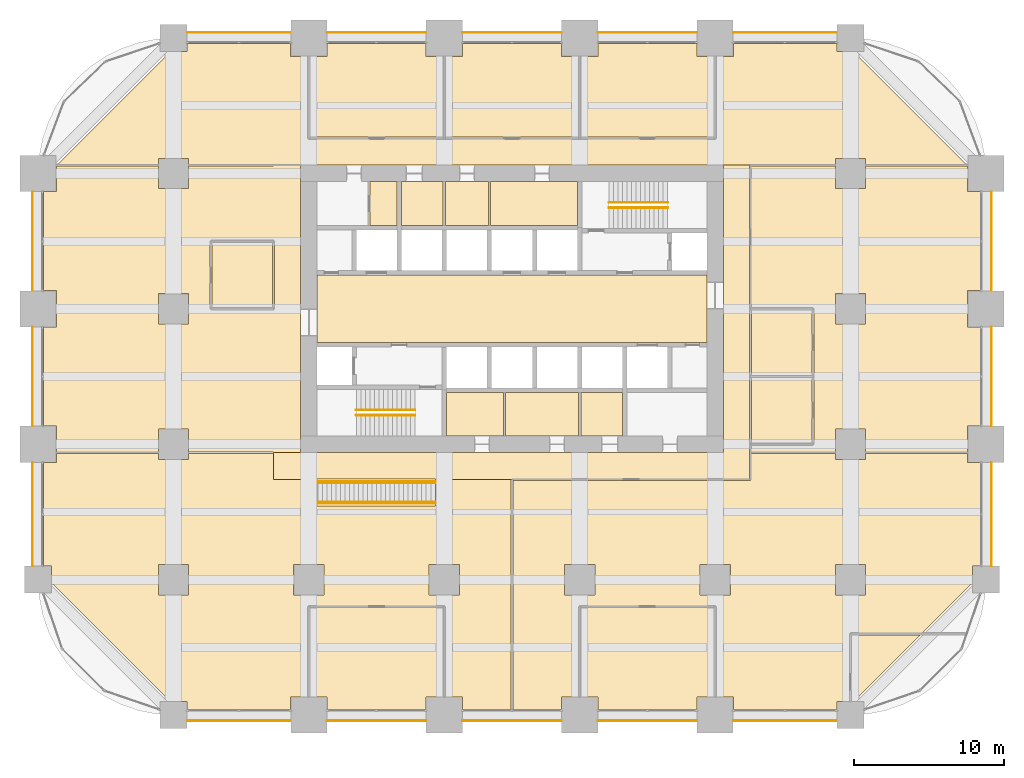
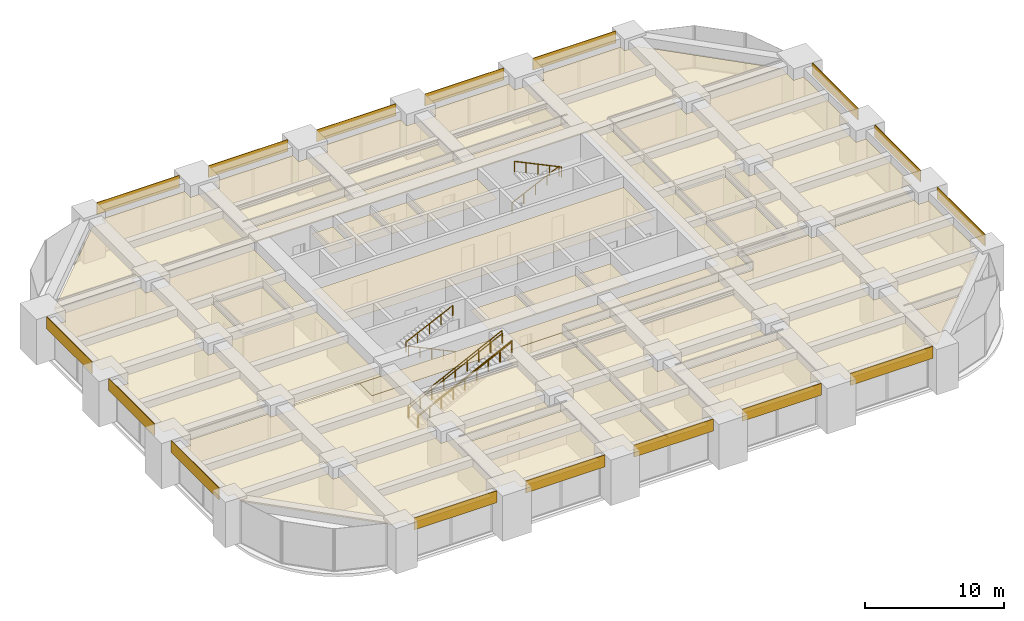
# One storey, part 39 of 39: 39 coverings, 8 railings.
"""IFC4 building model written with IfcOpenShell, lengths in metres."""

from ifc_helpers import new_model, si_unit, direction, frame, frame_2d, origin, origin_2d, place, context, subcontext, project, spatial, polyline, rectangle, circle, outline, extrude, material, layer, layer_set, type_object, element, save


model = new_model("IFC4")

# Units and contexts
model_context = context("Model", 3, precision=1e-05, world=origin(), true_north=direction((0.0, 1.0)))
body_context = subcontext(model_context, "Body", "Model", "MODEL_VIEW")
ifc_project = project(units=[si_unit("LENGTHUNIT", "METRE"), si_unit("AREAUNIT", "SQUARE_METRE"), si_unit("VOLUMEUNIT", "CUBIC_METRE"), si_unit("PLANEANGLEUNIT", "RADIAN"), si_unit("MASSUNIT", "GRAM", prefix="KILO")], contexts=[model_context])

# Site, building, storey
site_placement = place(None, origin())
site = spatial("IfcSite", under=ifc_project, at=site_placement, CompositionType="ELEMENT")
building_placement = place(site_placement, origin())
building = spatial("IfcBuilding", under=site, at=building_placement, Name="Zorevar Civic Tower", CompositionType="ELEMENT")
storey_placement = place(building_placement, frame((0.0, 0.0, 117.0)))
storey = spatial("IfcBuildingStorey", under=building, at=storey_placement, Name="L28", CompositionType="ELEMENT", Elevation=117.0)

# Railings
ifc_material_1 = material(Name="Laminated glass balustrade with black steel handrail", Category="steel")
railing_type_1 = type_object("IfcRailingType", Name="Balustrade BL1 1100", PredefinedType="BALUSTRADE", material=ifc_material_1)
for number, where, name in (
    (1, (18.60009765625, 14.080078125, 0.148193359375), "Balustrade BL1 interconnecting stair L28"),
    (2, (18.60009765625, 15.52001953125, 0.148193359375), "Balustrade BL1 interconnecting stair L28"),
):
    element("IfcRailing", number, at=place(storey_placement, frame(where)), inside=storey, type_object=railing_type_1, Name=name, PredefinedType="BALUSTRADE", context=body_context, shape_type="SweptSolid", body=[
        extrude(circle(Radius=0.02392578125, at=origin_2d()), frame((0.0, 0.0, 1.076171875), z_axis=(0.896627794226, 0.0, 0.442785047875), x_axis=(0.0, 1.0, 0.0)), (0.0, 0.0, 1.0), 8.698974609375),
        extrude(circle(Radius=0.02099609375, at=origin_2d()), origin(), (0.0, 0.0, 1.0), 1.052001953125),
        extrude(circle(Radius=0.02099609375, at=origin_2d()), frame((0.97509765625, 0.0, 0.4814453125)), (0.0, 0.0, 1.0), 1.052001953125),
        extrude(circle(Radius=0.02099609375, at=origin_2d()), frame((1.949951171875, 0.0, 0.962890625)), (0.0, 0.0, 1.0), 1.052001953125),
        extrude(circle(Radius=0.02099609375, at=origin_2d()), frame((2.9248046875, 0.0, 1.4443359375)), (0.0, 0.0, 1.0), 1.052001953125),
        extrude(circle(Radius=0.02099609375, at=origin_2d()), frame((3.89990234375, 0.0, 1.92578125)), (0.0, 0.0, 1.0), 1.052001953125),
        extrude(circle(Radius=0.02099609375, at=origin_2d()), frame((4.875, 0.0, 2.407470703125)), (0.0, 0.0, 1.0), 1.052001953125),
        extrude(circle(Radius=0.02099609375, at=origin_2d()), frame((5.849853515625, 0.0, 2.888916015625)), (0.0, 0.0, 1.0), 1.052001953125),
        extrude(circle(Radius=0.02099609375, at=origin_2d()), frame((6.82470703125, 0.0, 3.370361328125)), (0.0, 0.0, 1.0), 1.052001953125),
        extrude(circle(Radius=0.02099609375, at=origin_2d()), frame((7.7998046875, 0.0, 3.851806640625)), (0.0, 0.0, 1.0), 1.052001953125),
    ])
ifc_material_2 = material(Name="Black steel handrail", Category="steel")
railing_type_2 = type_object("IfcRailingType", Name="Handrail HR1 900", PredefinedType="HANDRAIL", material=ifc_material_2)
railing_1_placement = place(storey_placement, frame((25.050048828125, 19.925048828125, 0.142822265625)))
element("IfcRailing", 3, at=railing_1_placement, inside=storey, type_object=railing_type_2, Name="Handrail HR1 ST1 L28", PredefinedType="HANDRAIL", context=body_context, shape_type="SweptSolid", body=[
    extrude(circle(Radius=0.02392578125, at=origin_2d()), frame((0.0, 0.0, 0.8759765625), z_axis=(-0.902863652845, 0.0, 0.429926998885), x_axis=(0.0, -1.0, 0.0)), (0.0, 0.0, 1.0), 4.31982421875),
    extrude(circle(Radius=0.02099609375, at=origin_2d()), origin(), (0.0, 0.0, 1.0), 0.851806640625),
    extrude(circle(Radius=0.02099609375, at=origin_2d()), frame((-0.97509765625, 0.0, 0.46435546875)), (0.0, 0.0, 1.0), 0.851806640625),
    extrude(circle(Radius=0.02099609375, at=origin_2d()), frame((-1.9501953125, 0.0, 0.9287109375)), (0.0, 0.0, 1.0), 0.851806640625),
    extrude(circle(Radius=0.02099609375, at=origin_2d()), frame((-2.925048828125, 0.0, 1.392822265625)), (0.0, 0.0, 1.0), 0.851806640625),
    extrude(circle(Radius=0.02099609375, at=origin_2d()), frame((-3.900146484375, 0.0, 1.857177734375)), (0.0, 0.0, 1.0), 0.851806640625),
])
for number, where, name in (
    (4, (21.14990234375, 20.27490234375, 2.142822265625), "Handrail HR1 ST1 L28"),
    (5, (37.949951171875, 34.074951171875, 0.142822265625), "Handrail HR1 ST2 L28"),
):
    element("IfcRailing", number, at=place(storey_placement, frame(where)), inside=storey, type_object=railing_type_2, Name=name, PredefinedType="HANDRAIL", context=body_context, shape_type="SweptSolid", body=[
        extrude(circle(Radius=0.02392578125, at=origin_2d()), frame((0.0, 0.0, 0.8759765625), z_axis=(0.902863652845, 0.0, 0.429926998885), x_axis=(0.0, 1.0, 0.0)), (0.0, 0.0, 1.0), 4.31982421875),
        extrude(circle(Radius=0.02099609375, at=origin_2d()), origin(), (0.0, 0.0, 1.0), 0.851806640625),
        extrude(circle(Radius=0.02099609375, at=origin_2d()), frame((0.97509765625, 0.0, 0.46435546875)), (0.0, 0.0, 1.0), 0.851806640625),
        extrude(circle(Radius=0.02099609375, at=origin_2d()), frame((1.9501953125, 0.0, 0.9287109375)), (0.0, 0.0, 1.0), 0.851806640625),
        extrude(circle(Radius=0.02099609375, at=origin_2d()), frame((2.925048828125, 0.0, 1.392822265625)), (0.0, 0.0, 1.0), 0.851806640625),
        extrude(circle(Radius=0.02099609375, at=origin_2d()), frame((3.900146484375, 0.0, 1.857177734375)), (0.0, 0.0, 1.0), 0.851806640625),
    ])
railing_2_placement = place(storey_placement, frame((41.85009765625, 33.72509765625, 2.142822265625)))
element("IfcRailing", 6, at=railing_2_placement, inside=storey, type_object=railing_type_2, Name="Handrail HR1 ST2 L28", PredefinedType="HANDRAIL", context=body_context, shape_type="SweptSolid", body=[
    extrude(circle(Radius=0.02392578125, at=origin_2d()), frame((0.0, 0.0, 0.8759765625), z_axis=(-0.902863652845, 0.0, 0.429926998885), x_axis=(0.0, -1.0, 0.0)), (0.0, 0.0, 1.0), 4.31982421875),
    extrude(circle(Radius=0.02099609375, at=origin_2d()), origin(), (0.0, 0.0, 1.0), 0.851806640625),
    extrude(circle(Radius=0.02099609375, at=origin_2d()), frame((-0.97509765625, 0.0, 0.46435546875)), (0.0, 0.0, 1.0), 0.851806640625),
    extrude(circle(Radius=0.02099609375, at=origin_2d()), frame((-1.9501953125, 0.0, 0.9287109375)), (0.0, 0.0, 1.0), 0.851806640625),
    extrude(circle(Radius=0.02099609375, at=origin_2d()), frame((-2.925048828125, 0.0, 1.392822265625)), (0.0, 0.0, 1.0), 0.851806640625),
    extrude(circle(Radius=0.02099609375, at=origin_2d()), frame((-3.900146484375, 0.0, 1.857177734375)), (0.0, 0.0, 1.0), 0.851806640625),
])
for number, where, name in (
    (7, (18.60009765625, 14.14990234375, 0.148193359375), "Handrail HR1 interconnecting stair L28"),
    (8, (18.60009765625, 15.449951171875, 0.148193359375), "Handrail HR1 interconnecting stair L28"),
):
    element("IfcRailing", number, at=place(storey_placement, frame(where)), inside=storey, type_object=railing_type_2, Name=name, PredefinedType="HANDRAIL", context=body_context, shape_type="SweptSolid", body=[
        extrude(circle(Radius=0.02392578125, at=origin_2d()), frame((0.0, 0.0, 0.8759765625), z_axis=(0.896627794226, 0.0, 0.442785047875), x_axis=(0.0, 1.0, 0.0)), (0.0, 0.0, 1.0), 8.698974609375),
        extrude(circle(Radius=0.02099609375, at=origin_2d()), origin(), (0.0, 0.0, 1.0), 0.851806640625),
        extrude(circle(Radius=0.02099609375, at=origin_2d()), frame((0.97509765625, 0.0, 0.4814453125)), (0.0, 0.0, 1.0), 0.851806640625),
        extrude(circle(Radius=0.02099609375, at=origin_2d()), frame((1.949951171875, 0.0, 0.962890625)), (0.0, 0.0, 1.0), 0.851806640625),
        extrude(circle(Radius=0.02099609375, at=origin_2d()), frame((2.9248046875, 0.0, 1.4443359375)), (0.0, 0.0, 1.0), 0.851806640625),
        extrude(circle(Radius=0.02099609375, at=origin_2d()), frame((3.89990234375, 0.0, 1.92578125)), (0.0, 0.0, 1.0), 0.851806640625),
        extrude(circle(Radius=0.02099609375, at=origin_2d()), frame((4.875, 0.0, 2.407470703125)), (0.0, 0.0, 1.0), 0.851806640625),
        extrude(circle(Radius=0.02099609375, at=origin_2d()), frame((5.849853515625, 0.0, 2.888916015625)), (0.0, 0.0, 1.0), 0.851806640625),
        extrude(circle(Radius=0.02099609375, at=origin_2d()), frame((6.82470703125, 0.0, 3.370361328125)), (0.0, 0.0, 1.0), 0.851806640625),
        extrude(circle(Radius=0.02099609375, at=origin_2d()), frame((7.7998046875, 0.0, 3.851806640625)), (0.0, 0.0, 1.0), 0.851806640625),
    ])

# Coverings
ifc_material_3 = material(Name="Moisture-resistant gypsum board")
ifc_layer_1 = layer(ifc_material_3, 0.012451171875)
ifc_layer_set_1 = layer_set([ifc_layer_1], Name="Moisture-resistant ceiling SC3")
covering_type_1 = type_object("IfcCoveringType", Name="Moisture-resistant ceiling SC3", PredefinedType="CEILING", material=ifc_layer_set_1)
covering_1_placement = place(storey_placement, frame((0.0, 0.0, 3.0)))
element("IfcCovering", 9, at=covering_1_placement, inside=storey, type_object=covering_type_1, Name="Ceiling L28-05", PredefinedType="CEILING", context=body_context, shape_type="SweptSolid", body=[
    extrude(outline(polyline([(30.925048828125, 18.550048828125), (30.925048828125, 21.449951171875), (27.14990234375, 21.449951171875), (27.14990234375, 18.550048828125), (30.925048828125, 18.550048828125)])), origin(), (0.0, 0.0, 1.0), 0.012451171875),
])
covering_2_placement = place(storey_placement, frame((0.0, 0.0, 3.0)))
element("IfcCovering", 10, at=covering_2_placement, inside=storey, type_object=covering_type_1, Name="Ceiling L28-06", PredefinedType="CEILING", context=body_context, shape_type="SweptSolid", body=[
    extrude(outline(polyline([(35.925048828125, 18.550048828125), (35.925048828125, 21.449951171875), (31.074951171875, 21.449951171875), (31.074951171875, 18.550048828125), (35.925048828125, 18.550048828125)])), origin(), (0.0, 0.0, 1.0), 0.012451171875),
])
covering_3_placement = place(storey_placement, frame((0.0, 0.0, 3.0)))
element("IfcCovering", 11, at=covering_3_placement, inside=storey, type_object=covering_type_1, Name="Ceiling L28-07", PredefinedType="CEILING", context=body_context, shape_type="SweptSolid", body=[
    extrude(outline(polyline([(38.85009765625, 18.550048828125), (38.85009765625, 21.449951171875), (36.074951171875, 21.449951171875), (36.074951171875, 18.550048828125), (38.85009765625, 18.550048828125)])), origin(), (0.0, 0.0, 1.0), 0.012451171875),
])
covering_4_placement = place(storey_placement, frame((0.0, 0.0, 3.0)))
element("IfcCovering", 12, at=covering_4_placement, inside=storey, type_object=covering_type_1, Name="Ceiling L28-10", PredefinedType="CEILING", context=body_context, shape_type="SweptSolid", body=[
    extrude(outline(polyline([(26.925048828125, 32.550048828125), (26.925048828125, 35.449951171875), (24.14990234375, 35.449951171875), (24.14990234375, 32.550048828125), (26.925048828125, 32.550048828125)])), origin(), (0.0, 0.0, 1.0), 0.012451171875),
])
ifc_material_4 = material(Name="Black anodised aluminium spandrel panel", Category="aluminium")
ifc_layer_2 = layer(ifc_material_4, 0.050048828125)
ifc_layer_set_2 = layer_set([ifc_layer_2], Name="Spandrel cladding SP1")
covering_type_2 = type_object("IfcCoveringType", Name="Spandrel cladding SP1", PredefinedType="CLADDING", material=ifc_layer_set_2)
covering_5_placement = place(storey_placement, frame((9.89990234375, -0.375, 2.949951171875), z_axis=(0.0, 0.0, 1.0), x_axis=(1.0, 0.0, 0.0)))
element("IfcCovering", 13, at=covering_5_placement, inside=storey, type_object=covering_type_2, Name="Spandrel cladding L29", PredefinedType="CLADDING", context=body_context, shape_type="SweptSolid", body=[
    extrude(rectangle(XDim=6.900146484375, YDim=0.050048828125, at=frame_2d((3.4501953125, 0.0))), origin(), (0.0, 0.0, 1.0), 1.050048828125),
])
for number, where, z_axis, x_axis, name in (
    (14, (19.199951171875, -0.375, 2.949951171875), (0.0, 0.0, 1.0), (1.0, 0.0, 0.0), "Spandrel cladding L29"),
    (15, (28.199951171875, -0.375, 2.949951171875), (0.0, 0.0, 1.0), (1.0, 0.0, 0.0), "Spandrel cladding L29"),
    (16, (37.199951171875, -0.375, 2.949951171875), (0.0, 0.0, 1.0), (1.0, 0.0, 0.0), "Spandrel cladding L29"),
):
    element("IfcCovering", number, at=place(storey_placement, frame(where, z_axis=z_axis, x_axis=x_axis)), inside=storey, type_object=covering_type_2, Name=name, PredefinedType="CLADDING", context=body_context, shape_type="SweptSolid", body=[
        extrude(rectangle(XDim=6.60009765625, YDim=0.050048828125, at=frame_2d((3.300048828125, 0.0))), origin(), (0.0, 0.0, 1.0), 1.050048828125),
    ])
for number, where, z_axis, x_axis, name in (
    (17, (46.199951171875, -0.375, 2.949951171875), (0.0, 0.0, 1.0), (1.0, 0.0, 0.0), "Spandrel cladding L29"),
    (18, (9.89990234375, 45.375, 2.949951171875), (0.0, 0.0, 1.0), (1.0, 0.0, 0.0), "Spandrel cladding L29"),
):
    element("IfcCovering", number, at=place(storey_placement, frame(where, z_axis=z_axis, x_axis=x_axis)), inside=storey, type_object=covering_type_2, Name=name, PredefinedType="CLADDING", context=body_context, shape_type="SweptSolid", body=[
        extrude(rectangle(XDim=6.900146484375, YDim=0.050048828125, at=frame_2d((3.4501953125, 0.0))), origin(), (0.0, 0.0, 1.0), 1.050048828125),
    ])
for number, where, z_axis, x_axis, name in (
    (19, (19.199951171875, 45.375, 2.949951171875), (0.0, 0.0, 1.0), (1.0, 0.0, 0.0), "Spandrel cladding L29"),
    (20, (28.199951171875, 45.375, 2.949951171875), (0.0, 0.0, 1.0), (1.0, 0.0, 0.0), "Spandrel cladding L29"),
    (21, (37.199951171875, 45.375, 2.949951171875), (0.0, 0.0, 1.0), (1.0, 0.0, 0.0), "Spandrel cladding L29"),
):
    element("IfcCovering", number, at=place(storey_placement, frame(where, z_axis=z_axis, x_axis=x_axis)), inside=storey, type_object=covering_type_2, Name=name, PredefinedType="CLADDING", context=body_context, shape_type="SweptSolid", body=[
        extrude(rectangle(XDim=6.60009765625, YDim=0.050048828125, at=frame_2d((3.300048828125, 0.0))), origin(), (0.0, 0.0, 1.0), 1.050048828125),
    ])
for number, where, z_axis, x_axis, name in (
    (22, (46.199951171875, 45.375, 2.949951171875), (0.0, 0.0, 1.0), (1.0, 0.0, 0.0), "Spandrel cladding L29"),
    (23, (-0.375, 9.89990234375, 2.949951171875), (0.0, 0.0, 1.0), (0.0, 1.0, 0.0), "Spandrel cladding L29"),
):
    element("IfcCovering", number, at=place(storey_placement, frame(where, z_axis=z_axis, x_axis=x_axis)), inside=storey, type_object=covering_type_2, Name=name, PredefinedType="CLADDING", context=body_context, shape_type="SweptSolid", body=[
        extrude(rectangle(XDim=6.900146484375, YDim=0.050048828125, at=frame_2d((3.4501953125, 0.0))), origin(), (0.0, 0.0, 1.0), 1.050048828125),
    ])
for number, where, z_axis, x_axis, name in (
    (24, (-0.375, 19.199951171875, 2.949951171875), (0.0, 0.0, 1.0), (0.0, 1.0, 0.0), "Spandrel cladding L29"),
    (25, (-0.375, 28.199951171875, 2.949951171875), (0.0, 0.0, 1.0), (0.0, 1.0, 0.0), "Spandrel cladding L29"),
):
    element("IfcCovering", number, at=place(storey_placement, frame(where, z_axis=z_axis, x_axis=x_axis)), inside=storey, type_object=covering_type_2, Name=name, PredefinedType="CLADDING", context=body_context, shape_type="SweptSolid", body=[
        extrude(rectangle(XDim=6.60009765625, YDim=0.050048828125, at=frame_2d((3.300048828125, 0.0))), origin(), (0.0, 0.0, 1.0), 1.050048828125),
    ])
covering_6_placement = place(storey_placement, frame((63.375, 9.89990234375, 2.949951171875), z_axis=(0.0, 0.0, 1.0), x_axis=(0.0, 1.0, 0.0)))
element("IfcCovering", 26, at=covering_6_placement, inside=storey, type_object=covering_type_2, Name="Spandrel cladding L29", PredefinedType="CLADDING", context=body_context, shape_type="SweptSolid", body=[
    extrude(rectangle(XDim=6.900146484375, YDim=0.050048828125, at=frame_2d((3.4501953125, 0.0))), origin(), (0.0, 0.0, 1.0), 1.050048828125),
])
for number, where, z_axis, x_axis, name in (
    (27, (63.375, 19.199951171875, 2.949951171875), (0.0, 0.0, 1.0), (0.0, 1.0, 0.0), "Spandrel cladding L29"),
    (28, (63.375, 28.199951171875, 2.949951171875), (0.0, 0.0, 1.0), (0.0, 1.0, 0.0), "Spandrel cladding L29"),
):
    element("IfcCovering", number, at=place(storey_placement, frame(where, z_axis=z_axis, x_axis=x_axis)), inside=storey, type_object=covering_type_2, Name=name, PredefinedType="CLADDING", context=body_context, shape_type="SweptSolid", body=[
        extrude(rectangle(XDim=6.60009765625, YDim=0.050048828125, at=frame_2d((3.300048828125, 0.0))), origin(), (0.0, 0.0, 1.0), 1.050048828125),
    ])
ifc_material_5 = material(Name="Mineral fibre tiles on a concealed grid")
ifc_layer_3 = layer(ifc_material_5, 0.02001953125)
ifc_layer_set_3 = layer_set([ifc_layer_3], Name="Suspended ceiling SC1")
covering_type_3 = type_object("IfcCoveringType", Name="Suspended ceiling SC1", PredefinedType="CEILING", material=ifc_layer_set_3)
covering_7_placement = place(storey_placement, frame((0.0, 0.0, 3.0)))
element("IfcCovering", 29, at=covering_7_placement, inside=storey, type_object=covering_type_3, Name="Ceiling L28-08", PredefinedType="CEILING", context=body_context, shape_type="SweptSolid", body=[
    extrude(outline(polyline([(35.85009765625, 32.550048828125), (35.85009765625, 35.449951171875), (30.06005859375, 35.449951171875), (30.06005859375, 32.550048828125), (35.85009765625, 32.550048828125)])), origin(), (0.0, 0.0, 1.0), 0.02001953125),
])
covering_8_placement = place(storey_placement, frame((0.0, 0.0, 3.0)))
element("IfcCovering", 30, at=covering_8_placement, inside=storey, type_object=covering_type_3, Name="Ceiling L28-09", PredefinedType="CEILING", context=body_context, shape_type="SweptSolid", body=[
    extrude(outline(polyline([(29.93994140625, 32.550048828125), (29.93994140625, 35.449951171875), (27.074951171875, 35.449951171875), (27.074951171875, 32.550048828125), (29.93994140625, 32.550048828125)])), origin(), (0.0, 0.0, 1.0), 0.02001953125),
])
covering_9_placement = place(storey_placement, frame((0.0, 0.0, 3.0)))
element("IfcCovering", 31, at=covering_9_placement, inside=storey, type_object=covering_type_3, Name="Ceiling L28-12", PredefinedType="CEILING", context=body_context, shape_type="SweptSolid", body=[
    extrude(outline(polyline([(23.85009765625, 32.550048828125), (23.85009765625, 35.449951171875), (22.06005859375, 35.449951171875), (22.06005859375, 32.550048828125), (23.85009765625, 32.550048828125)])), origin(), (0.0, 0.0, 1.0), 0.02001953125),
])
covering_10_placement = place(storey_placement, frame((0.0, 0.0, 3.0)))
element("IfcCovering", 32, at=covering_10_placement, inside=storey, type_object=covering_type_3, Name="Ceiling L28-16", PredefinedType="CEILING", context=body_context, shape_type="SweptSolid", body=[
    extrude(outline(polyline([(44.449951171875, 24.75), (44.449951171875, 29.25), (18.550048828125, 29.25), (18.550048828125, 24.75), (44.449951171875, 24.75)])), origin(), (0.0, 0.0, 1.0), 0.02001953125),
])
covering_11_placement = place(storey_placement, frame((0.0, 0.0, 3.0)))
element("IfcCovering", 33, at=covering_11_placement, inside=storey, type_object=covering_type_3, Name="Ceiling L28-17", PredefinedType="CEILING", context=body_context, shape_type="SweptSolid", body=[
    extrude(outline(polyline([(19.2099609375, 0.35009765625), (19.2099609375, 1.2099609375), (18.06005859375, 1.2099609375), (18.06005859375, 7.139892578125), (26.93994140625, 7.139892578125), (26.93994140625, 1.2099609375), (25.7900390625, 1.2099609375), (25.7900390625, 0.35009765625), (19.2099609375, 0.35009765625)])), origin(), (0.0, 0.0, 1.0), 0.02001953125),
])
covering_12_placement = place(storey_placement, frame((0.0, 0.0, 3.0)))
element("IfcCovering", 34, at=covering_12_placement, inside=storey, type_object=covering_type_3, Name="Ceiling L28-18", PredefinedType="CEILING", context=body_context, shape_type="SweptSolid", body=[
    extrude(outline(polyline([(37.2099609375, 0.35009765625), (37.2099609375, 1.2099609375), (36.06005859375, 1.2099609375), (36.06005859375, 7.139892578125), (44.93994140625, 7.139892578125), (44.93994140625, 1.2099609375), (43.7900390625, 1.2099609375), (43.7900390625, 0.35009765625), (37.2099609375, 0.35009765625)])), origin(), (0.0, 0.0, 1.0), 0.02001953125),
])
covering_13_placement = place(storey_placement, frame((0.0, 0.0, 3.0)))
element("IfcCovering", 35, at=covering_13_placement, inside=storey, type_object=covering_type_3, Name="Ceiling L28-19", PredefinedType="CEILING", context=body_context, shape_type="SweptSolid", body=[
    extrude(outline(polyline([(19.2099609375, 43.7900390625), (19.2099609375, 44.64990234375), (25.7900390625, 44.64990234375), (25.7900390625, 43.7900390625), (26.93994140625, 43.7900390625), (26.93994140625, 38.409912109375), (18.06005859375, 38.409912109375), (18.06005859375, 43.7900390625), (19.2099609375, 43.7900390625)])), origin(), (0.0, 0.0, 1.0), 0.02001953125),
])
covering_14_placement = place(storey_placement, frame((0.0, 0.0, 3.0)))
element("IfcCovering", 36, at=covering_14_placement, inside=storey, type_object=covering_type_3, Name="Ceiling L28-20", PredefinedType="CEILING", context=body_context, shape_type="SweptSolid", body=[
    extrude(outline(polyline([(28.2099609375, 43.7900390625), (28.2099609375, 44.64990234375), (34.7900390625, 44.64990234375), (34.7900390625, 43.7900390625), (35.93994140625, 43.7900390625), (35.93994140625, 38.409912109375), (27.06005859375, 38.409912109375), (27.06005859375, 43.7900390625), (28.2099609375, 43.7900390625)])), origin(), (0.0, 0.0, 1.0), 0.02001953125),
])
covering_15_placement = place(storey_placement, frame((0.0, 0.0, 3.0)))
element("IfcCovering", 37, at=covering_15_placement, inside=storey, type_object=covering_type_3, Name="Ceiling L28-21", PredefinedType="CEILING", context=body_context, shape_type="SweptSolid", body=[
    extrude(outline(polyline([(37.2099609375, 43.7900390625), (37.2099609375, 44.64990234375), (43.7900390625, 44.64990234375), (43.7900390625, 43.7900390625), (44.93994140625, 43.7900390625), (44.93994140625, 38.409912109375), (36.06005859375, 38.409912109375), (36.06005859375, 43.7900390625), (37.2099609375, 43.7900390625)])), origin(), (0.0, 0.0, 1.0), 0.02001953125),
])
covering_16_placement = place(storey_placement, frame((0.0, 0.0, 3.0)))
element("IfcCovering", 38, at=covering_16_placement, inside=storey, type_object=covering_type_3, Name="Ceiling L28-22", PredefinedType="CEILING", context=body_context, shape_type="SweptSolid", body=[
    extrude(outline(polyline([(15.590087890625, 27.06005859375), (11.56005859375, 27.06005859375), (11.56005859375, 31.43994140625), (15.590087890625, 31.43994140625), (15.590087890625, 27.06005859375)])), origin(), (0.0, 0.0, 1.0), 0.02001953125),
])
covering_17_placement = place(storey_placement, frame((0.0, 0.0, 3.0)))
element("IfcCovering", 39, at=covering_17_placement, inside=storey, type_object=covering_type_3, Name="Ceiling L28-23", PredefinedType="CEILING", context=body_context, shape_type="SweptSolid", body=[
    extrude(outline(polyline([(47.409912109375, 18.06005859375), (47.409912109375, 22.43994140625), (51.43994140625, 22.43994140625), (51.43994140625, 18.06005859375), (47.409912109375, 18.06005859375)])), origin(), (0.0, 0.0, 1.0), 0.02001953125),
])
covering_18_placement = place(storey_placement, frame((0.0, 0.0, 3.0)))
element("IfcCovering", 40, at=covering_18_placement, inside=storey, type_object=covering_type_3, Name="Ceiling L28-24", PredefinedType="CEILING", context=body_context, shape_type="SweptSolid", body=[
    extrude(outline(polyline([(51.43994140625, 22.56005859375), (47.409912109375, 22.56005859375), (47.409912109375, 26.93994140625), (51.43994140625, 26.93994140625), (51.43994140625, 22.56005859375)])), origin(), (0.0, 0.0, 1.0), 0.02001953125),
])
covering_19_placement = place(storey_placement, frame((0.0, 0.0, 3.0)))
element("IfcCovering", 41, at=covering_19_placement, inside=storey, type_object=covering_type_3, Name="Ceiling L28-25", PredefinedType="CEILING", context=body_context, shape_type="SweptSolid", body=[
    extrude(outline(polyline([(54.06005859375, 0.909912109375), (54.06005859375, 5.340087890625), (58.6328125, 5.340087890625), (54.202880859375, 0.909912109375), (54.06005859375, 0.909912109375)])), origin(), (0.0, 0.0, 1.0), 0.02001953125),
])
covering_20_placement = place(storey_placement, frame((0.0, 0.0, 3.0)))
element("IfcCovering", 42, at=covering_20_placement, inside=storey, type_object=covering_type_3, Name="Ceiling L28-26", PredefinedType="CEILING", context=body_context, shape_type="SweptSolid", body=[
    extrude(outline(polyline([(45.550048828125, 17.449951171875), (45.550048828125, 36.550048828125), (47.300048828125, 36.550048828125), (47.300048828125, 27.0), (47.2900390625, 27.0), (47.2900390625, 18.0), (47.300048828125, 18.0), (47.300048828125, 15.699951171875), (31.5, 15.699951171875), (31.5, 15.64990234375), (26.39990234375, 15.64990234375), (26.39990234375, 15.699951171875), (18.5, 15.699951171875), (18.5, 15.64990234375), (15.64990234375, 15.64990234375), (15.64990234375, 17.449951171875), (45.550048828125, 17.449951171875)])), origin(), (0.0, 0.0, 1.0), 0.02001953125),
])
covering_21_placement = place(storey_placement, frame((0.0, 0.0, 3.0)))
element("IfcCovering", 43, at=covering_21_placement, inside=storey, type_object=covering_type_3, Name="Ceiling L28-27", PredefinedType="CEILING", context=body_context, shape_type="SweptSolid", body=[
    extrude(outline(polyline([(51.5, 27.06005859375), (47.39990234375, 27.06005859375), (47.39990234375, 36.5), (52.989990234375, 36.5), (52.989990234375, 34.989990234375), (55.010009765625, 34.989990234375), (55.010009765625, 36.5), (61.7900390625, 36.5), (61.7900390625, 34.7900390625), (62.64990234375, 34.7900390625), (62.64990234375, 28.2099609375), (61.7900390625, 28.2099609375), (61.7900390625, 25.7900390625), (62.64990234375, 25.7900390625), (62.64990234375, 19.2099609375), (61.7900390625, 19.2099609375), (61.7900390625, 17.5), (55.010009765625, 17.5), (55.010009765625, 19.010009765625), (52.989990234375, 19.010009765625), (52.989990234375, 17.5), (47.39990234375, 17.5), (47.39990234375, 17.93994140625), (51.5, 17.93994140625), (51.5, 18.0), (51.56005859375, 18.0), (51.56005859375, 27.0), (51.5, 27.0), (51.5, 27.06005859375)]), holes=[polyline([(55.010009765625, 28.010009765625), (52.989990234375, 28.010009765625), (52.989990234375, 25.989990234375), (55.010009765625, 25.989990234375), (55.010009765625, 28.010009765625)])]), origin(), (0.0, 0.0, 1.0), 0.02001953125),
])
covering_22_placement = place(storey_placement, frame((0.0, 0.0, 3.0)))
element("IfcCovering", 44, at=covering_22_placement, inside=storey, type_object=covering_type_3, Name="Ceiling L28-28", PredefinedType="CEILING", context=body_context, shape_type="SweptSolid", body=[
    extrude(outline(polyline([(16.7900390625, 44.64990234375), (16.7900390625, 43.7900390625), (17.93994140625, 43.7900390625), (17.93994140625, 38.35009765625), (18.0, 38.35009765625), (18.0, 38.2900390625), (45.0, 38.2900390625), (45.0, 38.35009765625), (45.06005859375, 38.35009765625), (45.06005859375, 43.7900390625), (46.2099609375, 43.7900390625), (46.2099609375, 44.64990234375), (53.090087890625, 44.64990234375), (53.090087890625, 44.090087890625), (54.202880859375, 44.090087890625), (61.69287109375, 36.60009765625), (55.010009765625, 36.60009765625), (55.010009765625, 37.010009765625), (52.989990234375, 37.010009765625), (52.989990234375, 36.60009765625), (47.35009765625, 36.60009765625), (47.35009765625, 36.550048828125), (15.64990234375, 36.550048828125), (15.64990234375, 36.60009765625), (10.010009765625, 36.60009765625), (10.010009765625, 37.010009765625), (7.989990234375, 37.010009765625), (7.989990234375, 36.60009765625), (1.30712890625, 36.60009765625), (8.797119140625, 44.090087890625), (9.909912109375, 44.090087890625), (9.909912109375, 44.64990234375), (16.7900390625, 44.64990234375)])), origin(), (0.0, 0.0, 1.0), 0.02001953125),
])
covering_23_placement = place(storey_placement, frame((0.0, 0.0, 3.0)))
element("IfcCovering", 45, at=covering_23_placement, inside=storey, type_object=covering_type_3, Name="Ceiling L28-29", PredefinedType="CEILING", context=body_context, shape_type="SweptSolid", body=[
    extrude(outline(polyline([(0.909912109375, 9.909912109375), (0.35009765625, 9.909912109375), (0.35009765625, 16.7900390625), (1.2099609375, 16.7900390625), (1.2099609375, 17.39990234375), (7.989990234375, 17.39990234375), (7.989990234375, 16.989990234375), (10.010009765625, 16.989990234375), (10.010009765625, 17.39990234375), (15.64990234375, 17.39990234375), (15.64990234375, 15.64990234375), (18.5, 15.64990234375), (18.5, 13.89990234375), (26.39990234375, 13.89990234375), (26.39990234375, 15.64990234375), (31.449951171875, 15.64990234375), (31.449951171875, 0.35009765625), (28.2099609375, 0.35009765625), (28.2099609375, 1.2099609375), (27.06005859375, 1.2099609375), (27.06005859375, 7.199951171875), (27.0, 7.199951171875), (27.0, 7.260009765625), (18.0, 7.260009765625), (18.0, 7.199951171875), (17.93994140625, 7.199951171875), (17.93994140625, 1.2099609375), (16.7900390625, 1.2099609375), (16.7900390625, 0.35009765625), (9.909912109375, 0.35009765625), (9.909912109375, 0.909912109375), (8.797119140625, 0.909912109375), (0.909912109375, 8.797119140625), (0.909912109375, 9.909912109375)]), holes=[polyline([(10.010009765625, 7.989990234375), (10.010009765625, 10.010009765625), (7.989990234375, 10.010009765625), (7.989990234375, 7.989990234375), (10.010009765625, 7.989990234375)]), polyline([(19.010009765625, 10.010009765625), (16.989990234375, 10.010009765625), (16.989990234375, 7.989990234375), (19.010009765625, 7.989990234375), (19.010009765625, 10.010009765625)]), polyline([(25.989990234375, 7.989990234375), (28.010009765625, 7.989990234375), (28.010009765625, 10.010009765625), (25.989990234375, 10.010009765625), (25.989990234375, 7.989990234375)])]), origin(), (0.0, 0.0, 1.0), 0.02001953125),
])
covering_24_placement = place(storey_placement, frame((0.0, 0.0, 3.0)))
element("IfcCovering", 46, at=covering_24_placement, inside=storey, type_object=covering_type_3, Name="Ceiling L28-30", PredefinedType="CEILING", context=body_context, shape_type="SweptSolid", body=[
    extrude(outline(polyline([(62.090087890625, 9.909912109375), (62.090087890625, 8.797119140625), (58.7529296875, 5.4599609375), (54.0, 5.4599609375), (54.0, 5.39990234375), (53.93994140625, 5.39990234375), (53.93994140625, 0.909912109375), (53.090087890625, 0.909912109375), (53.090087890625, 0.35009765625), (46.2099609375, 0.35009765625), (46.2099609375, 1.2099609375), (45.06005859375, 1.2099609375), (45.06005859375, 7.199951171875), (45.0, 7.199951171875), (45.0, 7.260009765625), (36.0, 7.260009765625), (36.0, 7.199951171875), (35.93994140625, 7.199951171875), (35.93994140625, 1.2099609375), (34.7900390625, 1.2099609375), (34.7900390625, 0.35009765625), (31.550048828125, 0.35009765625), (31.550048828125, 15.60009765625), (47.35009765625, 15.60009765625), (47.35009765625, 15.64990234375), (47.39990234375, 15.64990234375), (47.39990234375, 17.39990234375), (52.989990234375, 17.39990234375), (52.989990234375, 16.989990234375), (55.010009765625, 16.989990234375), (55.010009765625, 17.39990234375), (61.7900390625, 17.39990234375), (61.7900390625, 16.7900390625), (62.64990234375, 16.7900390625), (62.64990234375, 9.909912109375), (62.090087890625, 9.909912109375)]), holes=[polyline([(37.010009765625, 10.010009765625), (34.989990234375, 10.010009765625), (34.989990234375, 7.989990234375), (37.010009765625, 7.989990234375), (37.010009765625, 10.010009765625)]), polyline([(43.989990234375, 7.989990234375), (46.010009765625, 7.989990234375), (46.010009765625, 10.010009765625), (43.989990234375, 10.010009765625), (43.989990234375, 7.989990234375)]), polyline([(55.010009765625, 10.010009765625), (52.989990234375, 10.010009765625), (52.989990234375, 7.989990234375), (55.010009765625, 7.989990234375), (55.010009765625, 10.010009765625)])]), origin(), (0.0, 0.0, 1.0), 0.02001953125),
])
covering_25_placement = place(storey_placement, frame((0.0, 0.0, 3.0)))
element("IfcCovering", 47, at=covering_25_placement, inside=storey, type_object=covering_type_3, Name="Ceiling L28-31", PredefinedType="CEILING", context=body_context, shape_type="SweptSolid", body=[
    extrude(outline(polyline([(15.64990234375, 36.5), (15.64990234375, 36.550048828125), (17.449951171875, 36.550048828125), (17.449951171875, 17.449951171875), (15.64990234375, 17.449951171875), (15.64990234375, 17.5), (10.010009765625, 17.5), (10.010009765625, 19.010009765625), (7.989990234375, 19.010009765625), (7.989990234375, 17.5), (1.2099609375, 17.5), (1.2099609375, 19.2099609375), (0.35009765625, 19.2099609375), (0.35009765625, 25.7900390625), (1.2099609375, 25.7900390625), (1.2099609375, 28.2099609375), (0.35009765625, 28.2099609375), (0.35009765625, 34.7900390625), (1.2099609375, 34.7900390625), (1.2099609375, 36.5), (7.989990234375, 36.5), (7.989990234375, 34.989990234375), (10.010009765625, 34.989990234375), (10.010009765625, 36.5), (15.64990234375, 36.5)]), holes=[polyline([(15.64990234375, 26.93994140625), (15.64990234375, 27.0), (15.7099609375, 27.0), (15.7099609375, 31.5), (15.64990234375, 31.5), (15.64990234375, 31.56005859375), (11.5, 31.56005859375), (11.5, 31.5), (11.43994140625, 31.5), (11.43994140625, 27.0), (11.5, 27.0), (11.5, 26.93994140625), (15.64990234375, 26.93994140625)]), polyline([(7.989990234375, 28.010009765625), (7.989990234375, 25.989990234375), (10.010009765625, 25.989990234375), (10.010009765625, 28.010009765625), (7.989990234375, 28.010009765625)])]), origin(), (0.0, 0.0, 1.0), 0.02001953125),
])

save(model, "model.ifc")
